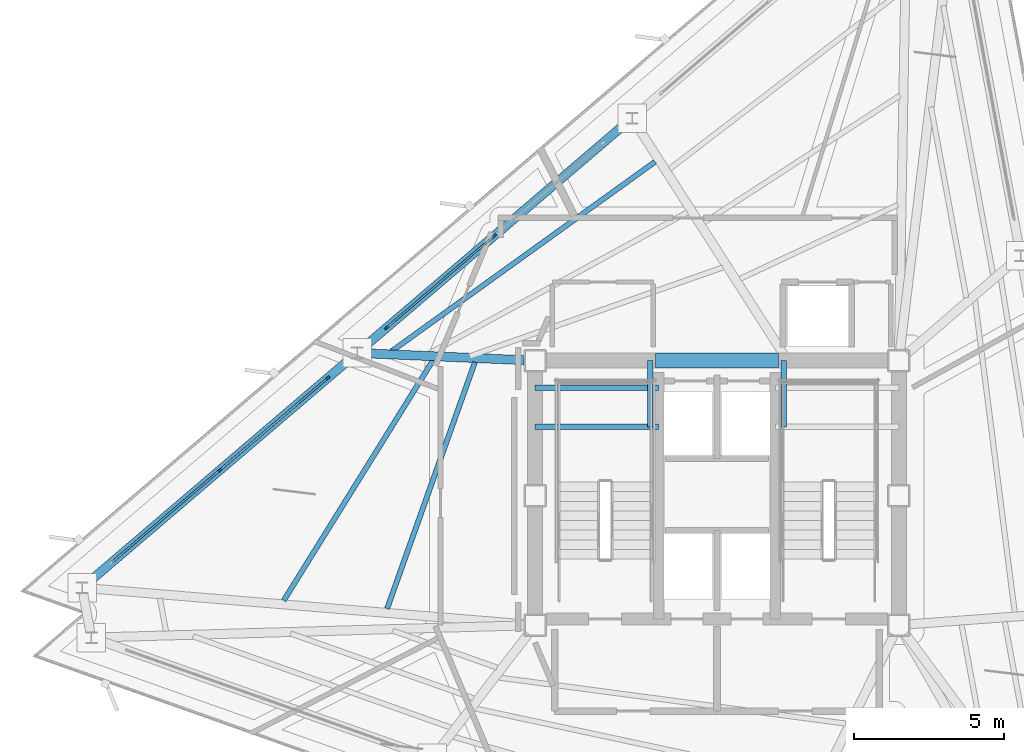
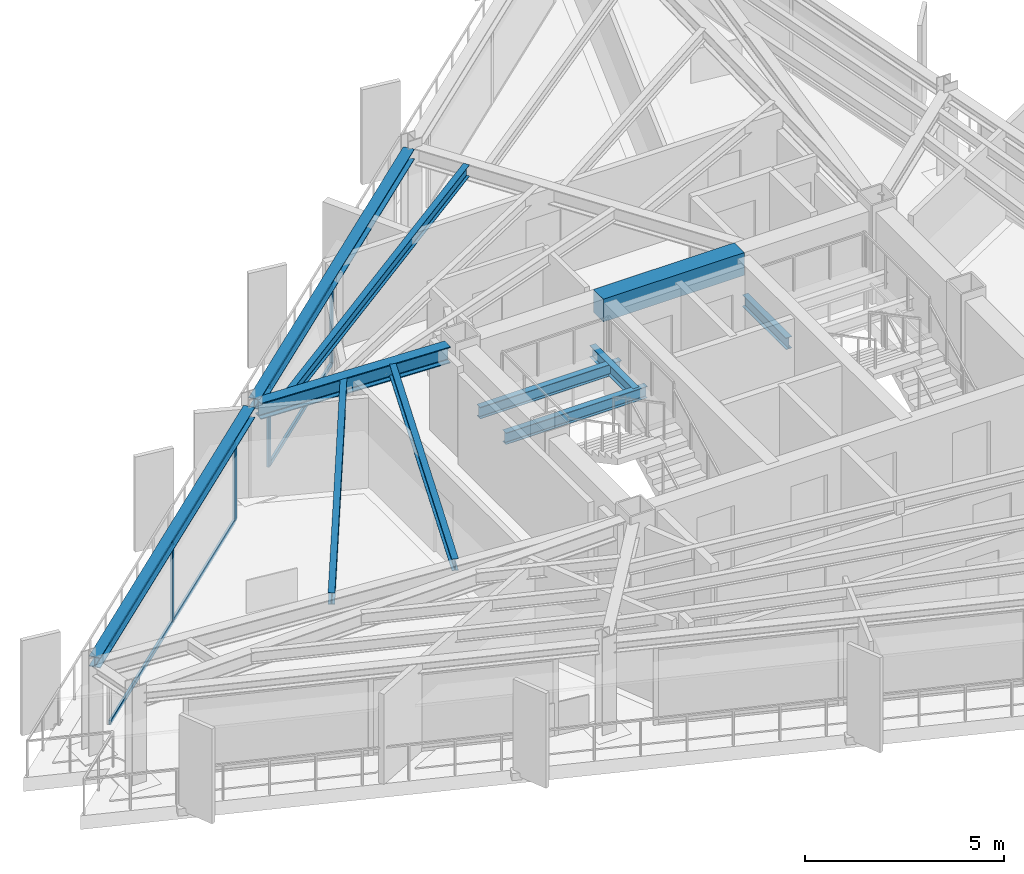
# One storey, part 4 of 14: 11 beams, 10 members, 2 elements without a shape of their own.
"""IFC4 building model written with IfcOpenShell, lengths in metres."""

from ifc_helpers import new_model, si_unit, direction, frame, origin, origin_2d, place, context, subcontext, project, spatial, rectangle, i_section, extrude, material, layer, layer_set, material_profile, profile_set, type_object, element, aggregate, save


model = new_model("IFC4")

# Units and contexts
model_context = context("Model", 3, precision=1e-05, world=origin(), true_north=direction((0.0, 1.0)))
body_context = subcontext(model_context, "Body", "Model", "MODEL_VIEW")
ifc_project = project(units=[si_unit("LENGTHUNIT", "METRE"), si_unit("AREAUNIT", "SQUARE_METRE"), si_unit("VOLUMEUNIT", "CUBIC_METRE"), si_unit("PLANEANGLEUNIT", "RADIAN"), si_unit("MASSUNIT", "GRAM", prefix="KILO")], contexts=[model_context])

# Site, building, storey
site_placement = place(None, origin())
site = spatial("IfcSite", under=ifc_project, at=site_placement, CompositionType="ELEMENT")
building_placement = place(site_placement, origin())
building = spatial("IfcBuilding", under=site, at=building_placement, Name="Rocaltana Carrier Exchange", CompositionType="ELEMENT")
storey_placement = place(building_placement, frame((0.0, 0.0, 175.360107421875)))
storey = spatial("IfcBuildingStorey", under=building, at=storey_placement, Name="L55", CompositionType="ELEMENT", Elevation=175.360107421875)

# Curtain wall, members
ifc_material_1 = material(Name="Aluminium 6063-T6", Category="aluminium")
ifc_layer = layer(ifc_material_1, 0.135009765625)
ifc_layer_set = layer_set([ifc_layer], Name="Aluminium 6063-T6")
curtain_wall_type = type_object("IfcCurtainWallType", Name="Upper-Mid Acoustic Curtain Wall CW-04", PredefinedType="NOTDEFINED", material=ifc_layer_set)
curtain_wall_1_placement = place(storey_placement, origin())
curtain_wall_1 = element("IfcCurtainWall", 1, at=curtain_wall_1_placement, inside=storey, type_object=curtain_wall_type, Name="L55 CW-04 Run CW-L55-F2S2", PredefinedType="NOTDEFINED")
ifc_material_2 = material(Name="Aluminium 6063-T6", Category="aluminium")
ifc_material_profile_1 = material_profile(ifc_material_2, rectangle(XDim=0.06494140625, YDim=0.135009765625, at=origin_2d()), Name="AL-65X135")
ifc_profile_set_1 = profile_set([ifc_material_profile_1], Name="Aluminium 6063-T6")
member_type_1 = type_object("IfcMemberType", Name="CW-04 Mullion AL-65X135", PredefinedType="MULLION", material=ifc_profile_set_1)
member_1_placement = place(storey_placement, frame((-7.39990234375, 8.6640625, 0.0), z_axis=(0.0, 0.0, 1.0), x_axis=(0.649454010067, -0.760400873756, 0.0)))
member_1 = element("IfcMember", 2, at=member_1_placement, type_object=member_type_1, Name="CW-04 mullion 2", PredefinedType="MULLION", context=body_context, shape_type="SweptSolid", body=[
    extrude(rectangle(XDim=0.06494140625, YDim=0.135009765625, at=origin_2d()), origin(), (0.0, 0.0, 1.0), 2.447998046875),
])
member_2_placement = place(storey_placement, frame((-10.999755859375, 5.58935546875, 0.0), z_axis=(0.0, 0.0, 1.0), x_axis=(0.649454010067, -0.760400873756, 0.0)))
member_2 = element("IfcMember", 3, at=member_2_placement, type_object=member_type_1, Name="CW-04 mullion 3", PredefinedType="MULLION", context=body_context, shape_type="SweptSolid", body=[
    extrude(rectangle(XDim=0.06494140625, YDim=0.135009765625, at=origin_2d()), origin(), (0.0, 0.0, 1.0), 2.447998046875),
])

curtain_wall_2_placement = place(storey_placement, origin())
curtain_wall_2 = element("IfcCurtainWall", 4, at=curtain_wall_2_placement, inside=storey, type_object=curtain_wall_type, Name="L55 CW-04 Run CW-L55-F2S3", PredefinedType="NOTDEFINED")
member_3_placement = place(storey_placement, frame((-12.9501953125, 3.923583984375, 0.0), z_axis=(0.0, 0.0, 1.0), x_axis=(0.649447944918, -0.760406053922, 0.0)))
member_3 = element("IfcMember", 5, at=member_3_placement, type_object=member_type_1, Name="CW-04 mullion 1", PredefinedType="MULLION", context=body_context, shape_type="SweptSolid", body=[
    extrude(rectangle(XDim=0.06494140625, YDim=0.135009765625, at=origin_2d()), origin(), (0.0, 0.0, 1.0), 2.447998046875),
])
member_4_placement = place(storey_placement, frame((-16.550048828125, 0.84912109375, 0.0), z_axis=(0.0, 0.0, 1.0), x_axis=(0.649447944918, -0.760406053922, 0.0)))
member_4 = element("IfcMember", 6, at=member_4_placement, type_object=member_type_1, Name="CW-04 mullion 2", PredefinedType="MULLION", context=body_context, shape_type="SweptSolid", body=[
    extrude(rectangle(XDim=0.06494140625, YDim=0.135009765625, at=origin_2d()), origin(), (0.0, 0.0, 1.0), 2.447998046875),
])

# Member
ifc_material_3 = material(Name="Aluminium 6063-T6", Category="aluminium")
ifc_material_profile_2 = material_profile(ifc_material_3, rectangle(XDim=0.06494140625, YDim=0.135009765625, at=origin_2d()), Name="AL-65X135")
ifc_profile_set_2 = profile_set([ifc_material_profile_2], Name="Aluminium 6063-T6")
member_type_2 = type_object("IfcMemberType", Name="CW-04 Transom AL-65X135", PredefinedType="USERDEFINED", material=ifc_profile_set_2)
member_5_placement = place(storey_placement, frame((-7.424560546875, 8.642822265625, 0.032470703125), z_axis=(-0.760407032825, -0.649446798768, 0.0), x_axis=(0.649446798768, -0.760407032825, 0.0)))
member_5 = element("IfcMember", 7, at=member_5_placement, type_object=member_type_2, Name="CW-04 transom 2.1", ObjectType="TRANSOM", PredefinedType="USERDEFINED", context=body_context, shape_type="SweptSolid", body=[
    extrude(rectangle(XDim=0.06494140625, YDim=0.135009765625, at=origin_2d()), origin(), (0.0, 0.0, 1.0), 4.6689453125),
])

member_6_placement = place(storey_placement, frame((-7.424560546875, 8.642822265625, 2.415283203125), z_axis=(-0.760407032825, -0.649446798768, 0.0), x_axis=(0.649446798768, -0.760407032825, 0.0)))
member_6 = element("IfcMember", 8, at=member_6_placement, type_object=member_type_2, Name="CW-04 transom 2.2", ObjectType="TRANSOM", PredefinedType="USERDEFINED", context=body_context, shape_type="SweptSolid", body=[
    extrude(rectangle(XDim=0.06494140625, YDim=0.135009765625, at=origin_2d()), origin(), (0.0, 0.0, 1.0), 4.6689453125),
])

aggregate(curtain_wall_1, [member_1, member_2, member_5, member_6])

member_7_placement = place(storey_placement, frame((-12.974853515625, 3.902587890625, 0.032470703125), z_axis=(-0.760403264899, -0.649451210432, 0.0), x_axis=(0.649451210432, -0.760403264899, 0.0)))
member_7 = element("IfcMember", 9, at=member_7_placement, type_object=member_type_2, Name="CW-04 transom 1.1", ObjectType="TRANSOM", PredefinedType="USERDEFINED", context=body_context, shape_type="SweptSolid", body=[
    extrude(rectangle(XDim=0.06494140625, YDim=0.135009765625, at=origin_2d()), origin(), (0.0, 0.0, 1.0), 4.669189453125),
])

member_8_placement = place(storey_placement, frame((-12.974853515625, 3.902587890625, 2.415283203125), z_axis=(-0.760403264899, -0.649451210432, 0.0), x_axis=(0.649451210432, -0.760403264899, 0.0)))
member_8 = element("IfcMember", 10, at=member_8_placement, type_object=member_type_2, Name="CW-04 transom 1.2", ObjectType="TRANSOM", PredefinedType="USERDEFINED", context=body_context, shape_type="SweptSolid", body=[
    extrude(rectangle(XDim=0.06494140625, YDim=0.135009765625, at=origin_2d()), origin(), (0.0, 0.0, 1.0), 4.669189453125),
])

member_9_placement = place(storey_placement, frame((-16.57470703125, 0.827880859375, 0.032470703125), z_axis=(-0.760403264899, -0.649451210432, 0.0), x_axis=(0.649451210432, -0.760403264899, 0.0)))
member_9 = element("IfcMember", 11, at=member_9_placement, type_object=member_type_2, Name="CW-04 transom 2.1", ObjectType="TRANSOM", PredefinedType="USERDEFINED", context=body_context, shape_type="SweptSolid", body=[
    extrude(rectangle(XDim=0.06494140625, YDim=0.135009765625, at=origin_2d()), origin(), (0.0, 0.0, 1.0), 4.669189453125),
])

member_10_placement = place(storey_placement, frame((-16.57470703125, 0.827880859375, 2.415283203125), z_axis=(-0.760403264899, -0.649451210432, 0.0), x_axis=(0.649451210432, -0.760403264899, 0.0)))
member_10 = element("IfcMember", 12, at=member_10_placement, type_object=member_type_2, Name="CW-04 transom 2.2", ObjectType="TRANSOM", PredefinedType="USERDEFINED", context=body_context, shape_type="SweptSolid", body=[
    extrude(rectangle(XDim=0.06494140625, YDim=0.135009765625, at=origin_2d()), origin(), (0.0, 0.0, 1.0), 4.669189453125),
])

aggregate(curtain_wall_2, [member_3, member_4, member_7, member_8, member_9, member_10])

# Beams
ifc_material_4 = material(Name="Concrete C60/75", Category="concrete")
ifc_material_profile_3 = material_profile(ifc_material_4, rectangle(XDim=0.5, YDim=0.699951171875, at=origin_2d()), Name="RC-BM-500X700")
ifc_profile_set_3 = profile_set([ifc_material_profile_3], Name="Concrete C60/75")
beam_type_1 = type_object("IfcBeamType", Name="Core Coupling Lintel 500x700", PredefinedType="LINTEL", material=ifc_profile_set_3)
beam_1_placement = place(storey_placement, frame((-2.050048828125, 4.5, 2.447998046875), z_axis=(1.0, 0.0, 0.0), x_axis=(0.0, 1.0, 0.0)))
element("IfcBeam", 13, at=beam_1_placement, inside=storey, type_object=beam_type_1, Name="L55 Core Coupling Lintel CL-N", PredefinedType="LINTEL", context=body_context, shape_type="SweptSolid", body=[
    extrude(rectangle(XDim=0.5, YDim=0.699951171875, at=origin_2d()), origin(), (0.0, 0.0, 1.0), 4.10009765625),
])
ifc_material_5 = material(Name="Steel S355", Category="steel")
ifc_material_profile_4 = material_profile(ifc_material_5, i_section(OverallWidth=0.172119140625, OverallDepth=0.35791015625, WebThickness=0.0078125, FlangeThickness=0.01318359375, FilletRadius=0.011962890625, at=origin_2d()), Name="W14X38")
ifc_profile_set_4 = profile_set([ifc_material_profile_4], Name="Steel S355")
beam_type_2 = type_object("IfcBeamType", Name="Floor Joist W14X38", PredefinedType="JOIST", material=ifc_profile_set_4)
for number, where, z_axis, x_axis, name in (
    (14, (-6.050048828125, 2.300048828125, 1.140869140625), (1.0, 0.0, 0.0), (0.0, 1.0, 0.0), "L55 ST-1 Landing Carrier 1"),
    (15, (-6.050048828125, 3.60009765625, 1.140869140625), (1.0, 0.0, 0.0), (0.0, 1.0, 0.0), "L55 ST-1 Landing Carrier 2"),
):
    element("IfcBeam", number, at=place(storey_placement, frame(where, z_axis=z_axis, x_axis=x_axis)), inside=storey, type_object=beam_type_2, Name=name, PredefinedType="JOIST", context=body_context, shape_type="SweptSolid", body=[
        extrude(i_section(OverallWidth=0.172119140625, OverallDepth=0.35791015625, WebThickness=0.0078125, FlangeThickness=0.01318359375, FilletRadius=0.011962890625, at=origin_2d()), origin(), (0.0, 0.0, 1.0), 4.110107421875),
    ])
for number, where, z_axis, x_axis, name in (
    (16, (-2.219970703125, 2.300048828125, 1.140869140625), (0.0, 1.0, 0.0), (-1.0, 0.0, 0.0), "L55 ST-1 Landing Cross Trimmer"),
    (17, (2.219970703125, 2.300048828125, 1.140869140625), (0.0, 1.0, 0.0), (-1.0, 0.0, 0.0), "L55 ST-2 Landing Cross Trimmer"),
):
    element("IfcBeam", number, at=place(storey_placement, frame(where, z_axis=z_axis, x_axis=x_axis)), inside=storey, type_object=beam_type_2, Name=name, PredefinedType="JOIST", context=body_context, shape_type="SweptSolid", body=[
        extrude(i_section(OverallWidth=0.172119140625, OverallDepth=0.35791015625, WebThickness=0.0078125, FlangeThickness=0.01318359375, FilletRadius=0.011962890625, at=origin_2d()), origin(), (0.0, 0.0, 1.0), 2.199951171875),
    ])
beam_2_placement = place(storey_placement, frame((-2.06201171875, 11.115478515625, 2.618896484375), z_axis=(-0.811946552353, -0.583731784402, 0.0), x_axis=(0.583731784402, -0.811946552353, 0.0)))
element("IfcBeam", 18, at=beam_2_placement, inside=storey, type_object=beam_type_2, Name="FJ-L55-06-3", PredefinedType="JOIST", context=body_context, shape_type="SweptSolid", body=[
    extrude(i_section(OverallWidth=0.172119140625, OverallDepth=0.35791015625, WebThickness=0.0078125, FlangeThickness=0.01318359375, FilletRadius=0.011962890625, at=origin_2d()), origin(), (0.0, 0.0, 1.0), 10.823974609375),
])
beam_3_placement = place(storey_placement, frame((-8.053466796875, 4.448974609375, 2.618896484375), z_axis=(-0.335647261926, -0.941987747034, 0.0), x_axis=(0.941987747034, -0.335647261926, 0.0)))
element("IfcBeam", 19, at=beam_3_placement, inside=storey, type_object=beam_type_2, Name="FJ-L55-07-1", PredefinedType="JOIST", context=body_context, shape_type="SweptSolid", body=[
    extrude(i_section(OverallWidth=0.172119140625, OverallDepth=0.35791015625, WebThickness=0.0078125, FlangeThickness=0.01318359375, FilletRadius=0.011962890625, at=origin_2d()), origin(), (0.0, 0.0, 1.0), 8.708740234375),
])
beam_4_placement = place(storey_placement, frame((-9.44384765625, 4.521240234375, 2.618896484375), z_axis=(-0.527698214699, -0.849431924408, 0.0), x_axis=(0.849431924408, -0.527698214699, 0.0)))
element("IfcBeam", 20, at=beam_4_placement, inside=storey, type_object=beam_type_2, Name="FJ-L55-07-2", PredefinedType="JOIST", context=body_context, shape_type="SweptSolid", body=[
    extrude(i_section(OverallWidth=0.172119140625, OverallDepth=0.35791015625, WebThickness=0.0078125, FlangeThickness=0.01318359375, FilletRadius=0.011962890625, at=origin_2d()), origin(), (0.0, 0.0, 1.0), 9.42236328125),
])
ifc_material_6 = material(Name="Steel S355", Category="steel")
ifc_material_profile_5 = material_profile(ifc_material_6, i_section(OverallWidth=0.300048828125, OverallDepth=0.320068359375, WebThickness=0.011474609375, FlangeThickness=0.0205078125, FilletRadius=0.027099609375, at=origin_2d()), Name="HEB320")
ifc_profile_set_5 = profile_set([ifc_material_profile_5], Name="Steel S355")
beam_type_3 = type_object("IfcBeamType", Name="Spandrel Edge Beam HEB320", PredefinedType="SPANDREL", material=ifc_profile_set_5)
beam_5_placement = place(storey_placement, frame((-2.9658203125, 12.451171875, 2.637939453125), z_axis=(-0.76039327773, -0.649462903623, 0.0), x_axis=(0.649462903623, -0.76039327773, 0.0)))
element("IfcBeam", 21, at=beam_5_placement, inside=storey, type_object=beam_type_3, Name="SP-L55-06", PredefinedType="SPANDREL", context=body_context, shape_type="SweptSolid", body=[
    extrude(i_section(OverallWidth=0.300048828125, OverallDepth=0.320068359375, WebThickness=0.011474609375, FlangeThickness=0.0205078125, FilletRadius=0.027099609375, at=origin_2d()), origin(), (0.0, 0.0, 1.0), 11.662353515625),
])
beam_6_placement = place(storey_placement, frame((-12.115966796875, 4.635986328125, 2.637939453125), z_axis=(-0.760403616076, -0.64945079926, 0.0), x_axis=(0.64945079926, -0.760403616076, 0.0)))
element("IfcBeam", 22, at=beam_6_placement, inside=storey, type_object=beam_type_3, Name="SP-L55-07", PredefinedType="SPANDREL", context=body_context, shape_type="SweptSolid", body=[
    extrude(i_section(OverallWidth=0.300048828125, OverallDepth=0.320068359375, WebThickness=0.011474609375, FlangeThickness=0.0205078125, FilletRadius=0.027099609375, at=origin_2d()), origin(), (0.0, 0.0, 1.0), 11.662109375),
])
ifc_material_7 = material(Name="Steel S355", Category="steel")
ifc_material_profile_6 = material_profile(ifc_material_7, i_section(OverallWidth=0.300048828125, OverallDepth=0.5, WebThickness=0.014404296875, FlangeThickness=0.028076171875, FilletRadius=0.027099609375, at=origin_2d()), Name="HEB500")
ifc_profile_set_6 = profile_set([ifc_material_profile_6], Name="Steel S355")
beam_type_4 = type_object("IfcBeamType", Name="Upper Radial Girder HEB500", PredefinedType="BEAM", material=ifc_profile_set_6)
beam_7_placement = place(storey_placement, frame((-6.416748046875, 4.515869140625, 2.5478515625), z_axis=(-0.999063681018, 0.04326385641, 0.0), x_axis=(-0.04326385641, -0.999063681018, 0.0)))
element("IfcBeam", 23, at=beam_7_placement, inside=storey, type_object=beam_type_4, Name="RG-L55-07", PredefinedType="BEAM", context=body_context, shape_type="SweptSolid", body=[
    extrude(i_section(OverallWidth=0.300048828125, OverallDepth=0.5, WebThickness=0.014404296875, FlangeThickness=0.028076171875, FilletRadius=0.027099609375, at=origin_2d()), origin(), (0.0, 0.0, 1.0), 5.3779296875),
])

save(model, "model.ifc")
